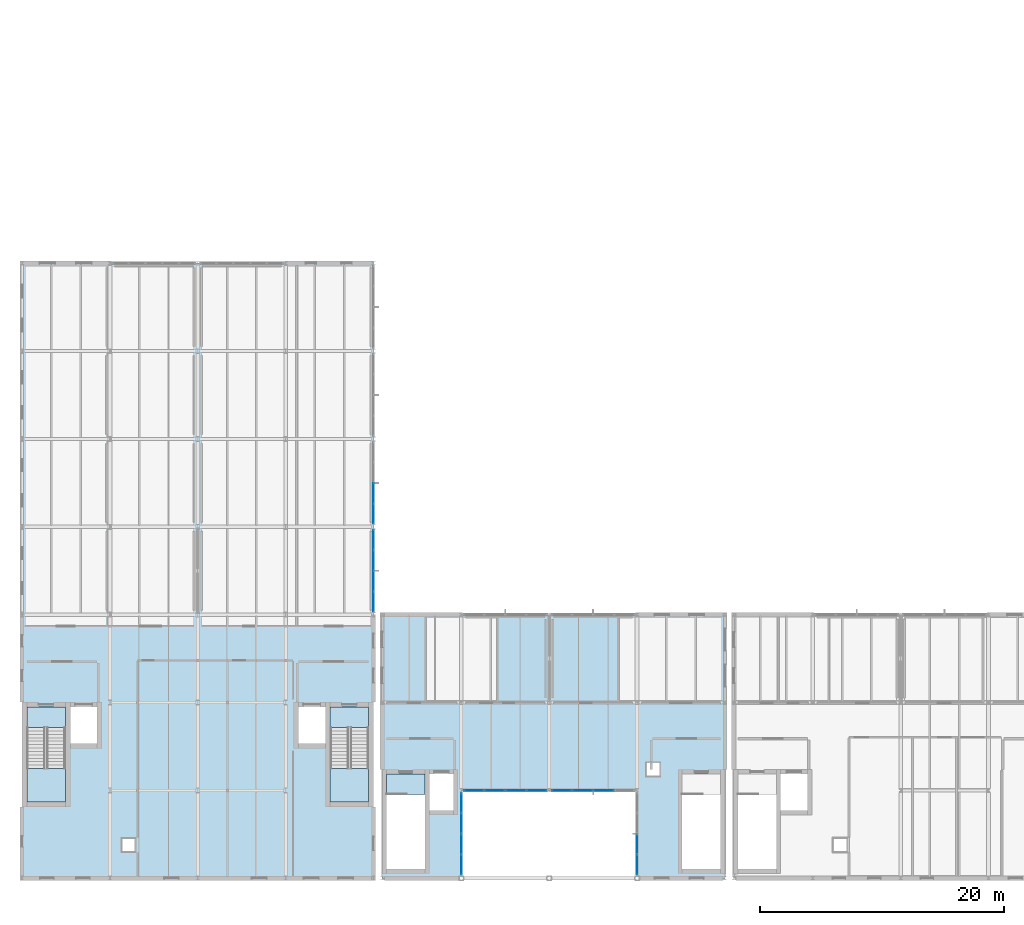
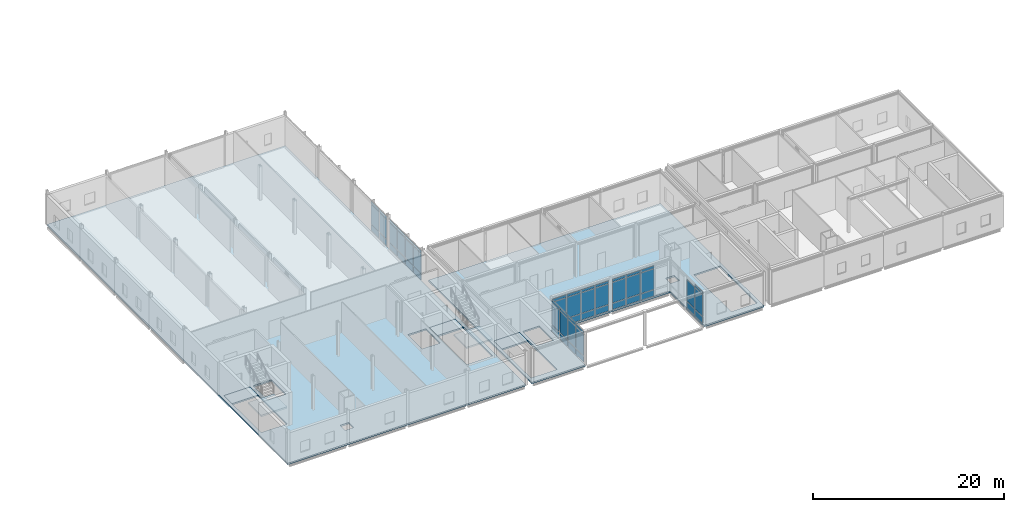
# One storey, part 21 of 43: 56 plates, 7 slabs, 8 elements without a shape of their own.
"""IFC4 building model written with IfcOpenShell, lengths in metres."""

from ifc_helpers import new_model, si_unit, direction, frame, origin, origin_2d, place, context, subcontext, project, spatial, polyline, rectangle, outline, extrude, material, layer, layer_set, type_object, element, aggregate, save


model = new_model("IFC4")

# Units and contexts
model_context = context("Model", 3, precision=1e-05, world=origin(), true_north=direction((0.0, 1.0)))
body_context = subcontext(model_context, "Body", "Model", "MODEL_VIEW")
ifc_project = project(units=[si_unit("LENGTHUNIT", "METRE"), si_unit("AREAUNIT", "SQUARE_METRE"), si_unit("VOLUMEUNIT", "CUBIC_METRE"), si_unit("PLANEANGLEUNIT", "RADIAN"), si_unit("MASSUNIT", "GRAM", prefix="KILO")], contexts=[model_context])

# Site, building, storey
site_placement = place(None, origin())
site = spatial("IfcSite", under=ifc_project, at=site_placement, CompositionType="ELEMENT")
building_placement = place(site_placement, origin())
building = spatial("IfcBuilding", under=site, at=building_placement, Name="Zarrinpeak Specialist Clinic", CompositionType="ELEMENT")
storey_placement = place(building_placement, frame((0.0, 0.0, 18.39990234375)))
storey = spatial("IfcBuildingStorey", under=building, at=storey_placement, Name="L04", CompositionType="ELEMENT", Elevation=18.39990234375)

# Curtain wall, plates
ifc_material_1 = material(Name="Anodised Aluminium Alloy 6063-T6", Category="aluminium")
ifc_layer_1 = layer(ifc_material_1, 0.179931640625)
ifc_layer_set_1 = layer_set([ifc_layer_1], Name="Anodised Aluminium Alloy 6063-T6")
curtain_wall_type_1 = type_object("IfcCurtainWallType", Name="CW-COURT", PredefinedType="NOTDEFINED", material=ifc_layer_set_1)
curtain_wall_1_placement = place(storey_placement, origin())
curtain_wall_1 = element("IfcCurtainWall", 1, at=curtain_wall_1_placement, inside=storey, type_object=curtain_wall_type_1, Name="L04 V1 Unitised Curtain Wall CW-L04-V1-028", PredefinedType="NOTDEFINED")
ifc_material_2 = material(Name="Double Low-E Insulated Glazing", Category="glass")
ifc_layer_2 = layer(ifc_material_2, 0.028076171875)
ifc_layer_set_2 = layer_set([ifc_layer_2], Name="Double Low-E Insulated Glazing")
plate_type_1 = type_object("IfcPlateType", Name="CWP-GLZ28", PredefinedType="CURTAIN_PANEL", material=ifc_layer_set_2)
plate_1_placement = place(storey_placement, frame((28.800048828125, 29.87255859375, 0.074951171875), z_axis=(0.0, 0.0, 1.0), x_axis=(0.0, 1.0, 0.0)))
plate_1 = element("IfcPlate", 2, at=plate_1_placement, type_object=plate_type_1, Name="CW-01 panel 1.1", PredefinedType="CURTAIN_PANEL", context=body_context, shape_type="SweptSolid", body=[
    extrude(rectangle(XDim=1.5849609375, YDim=0.028076171875, at=origin_2d()), origin(), (0.0, 0.0, 1.0), 0.78759765625),
])
plate_2_placement = place(storey_placement, frame((28.800048828125, 29.87255859375, 0.9375), z_axis=(0.0, 0.0, 1.0), x_axis=(0.0, 1.0, 0.0)))
plate_2 = element("IfcPlate", 3, at=plate_2_placement, type_object=plate_type_1, Name="CW-01 panel 1.2", PredefinedType="CURTAIN_PANEL", context=body_context, shape_type="SweptSolid", body=[
    extrude(rectangle(XDim=1.5849609375, YDim=0.028076171875, at=origin_2d()), origin(), (0.0, 0.0, 1.0), 2.47509765625),
])
plate_3_placement = place(storey_placement, frame((28.800048828125, 29.87255859375, 3.487548828125), z_axis=(0.0, 0.0, 1.0), x_axis=(0.0, 1.0, 0.0)))
plate_3 = element("IfcPlate", 4, at=plate_3_placement, type_object=plate_type_1, Name="CW-01 panel 1.3", PredefinedType="CURTAIN_PANEL", context=body_context, shape_type="SweptSolid", body=[
    extrude(rectangle(XDim=1.5849609375, YDim=0.028076171875, at=origin_2d()), origin(), (0.0, 0.0, 1.0), 0.33740234375),
])
plate_4_placement = place(storey_placement, frame((28.800048828125, 31.55126953125, 0.074951171875), z_axis=(0.0, 0.0, 1.0), x_axis=(0.0, 1.0, 0.0)))
plate_4 = element("IfcPlate", 5, at=plate_4_placement, type_object=plate_type_1, Name="CW-01 panel 2.1", PredefinedType="CURTAIN_PANEL", context=body_context, shape_type="SweptSolid", body=[
    extrude(rectangle(XDim=1.62255859375, YDim=0.028076171875, at=origin_2d()), origin(), (0.0, 0.0, 1.0), 0.78759765625),
])
plate_5_placement = place(storey_placement, frame((28.800048828125, 31.55126953125, 0.9375), z_axis=(0.0, 0.0, 1.0), x_axis=(0.0, 1.0, 0.0)))
plate_5 = element("IfcPlate", 6, at=plate_5_placement, type_object=plate_type_1, Name="CW-01 panel 2.2", PredefinedType="CURTAIN_PANEL", context=body_context, shape_type="SweptSolid", body=[
    extrude(rectangle(XDim=1.62255859375, YDim=0.028076171875, at=origin_2d()), origin(), (0.0, 0.0, 1.0), 2.47509765625),
])
plate_6_placement = place(storey_placement, frame((28.800048828125, 31.55126953125, 3.487548828125), z_axis=(0.0, 0.0, 1.0), x_axis=(0.0, 1.0, 0.0)))
plate_6 = element("IfcPlate", 7, at=plate_6_placement, type_object=plate_type_1, Name="CW-01 panel 2.3", PredefinedType="CURTAIN_PANEL", context=body_context, shape_type="SweptSolid", body=[
    extrude(rectangle(XDim=1.62255859375, YDim=0.028076171875, at=origin_2d()), origin(), (0.0, 0.0, 1.0), 0.33740234375),
])
aggregate(curtain_wall_1, [plate_1, plate_2, plate_3, plate_4, plate_5, plate_6])

ifc_layer_3 = layer(ifc_material_1, 0.18994140625)
ifc_layer_set_3 = layer_set([ifc_layer_3], Name="Anodised Aluminium Alloy 6063-T6")
curtain_wall_type_2 = type_object("IfcCurtainWallType", Name="CW-LOGGIA", PredefinedType="NOTDEFINED", material=ifc_layer_set_3)
curtain_wall_2_placement = place(storey_placement, origin())
curtain_wall_2 = element("IfcCurtainWall", 8, at=curtain_wall_2_placement, inside=storey, type_object=curtain_wall_type_2, Name="L04 V2 Unitised Curtain Wall CW-L04-V2-064", PredefinedType="NOTDEFINED")
plate_7_placement = place(storey_placement, frame((44.231201171875, 7.199951171875, 0.09033203125), z_axis=(0.0, 0.0, 1.0), x_axis=(1.0, 0.0, 0.0)))
plate_7 = element("IfcPlate", 9, at=plate_7_placement, type_object=plate_type_1, Name="CW-04 panel 1.1", PredefinedType="CURTAIN_PANEL", context=body_context, shape_type="SweptSolid", body=[
    extrude(rectangle(XDim=1.592529296875, YDim=0.028076171875, at=origin_2d()), origin(), (0.0, 0.0, 1.0), 0.764892578125),
])
plate_8_placement = place(storey_placement, frame((44.231201171875, 7.199951171875, 0.9453125), z_axis=(0.0, 0.0, 1.0), x_axis=(1.0, 0.0, 0.0)))
plate_8 = element("IfcPlate", 10, at=plate_8_placement, type_object=plate_type_1, Name="CW-04 panel 1.2", PredefinedType="CURTAIN_PANEL", context=body_context, shape_type="SweptSolid", body=[
    extrude(rectangle(XDim=1.592529296875, YDim=0.028076171875, at=origin_2d()), origin(), (0.0, 0.0, 1.0), 2.594970703125),
])
plate_9_placement = place(storey_placement, frame((44.231201171875, 7.199951171875, 3.630126953125), z_axis=(0.0, 0.0, 1.0), x_axis=(1.0, 0.0, 0.0)))
plate_9 = element("IfcPlate", 11, at=plate_9_placement, type_object=plate_type_1, Name="CW-04 panel 1.3", PredefinedType="CURTAIN_PANEL", context=body_context, shape_type="SweptSolid", body=[
    extrude(rectangle(XDim=1.592529296875, YDim=0.028076171875, at=origin_2d()), origin(), (0.0, 0.0, 1.0), 0.31494140625),
])
plate_10_placement = place(storey_placement, frame((45.936279296875, 7.199951171875, 0.09033203125), z_axis=(0.0, 0.0, 1.0), x_axis=(1.0, 0.0, 0.0)))
plate_10 = element("IfcPlate", 12, at=plate_10_placement, type_object=plate_type_1, Name="CW-04 panel 2.1", PredefinedType="CURTAIN_PANEL", context=body_context, shape_type="SweptSolid", body=[
    extrude(rectangle(XDim=1.637451171875, YDim=0.028076171875, at=origin_2d()), origin(), (0.0, 0.0, 1.0), 0.764892578125),
])
plate_11_placement = place(storey_placement, frame((45.936279296875, 7.199951171875, 0.9453125), z_axis=(0.0, 0.0, 1.0), x_axis=(1.0, 0.0, 0.0)))
plate_11 = element("IfcPlate", 13, at=plate_11_placement, type_object=plate_type_1, Name="CW-04 panel 2.2", PredefinedType="CURTAIN_PANEL", context=body_context, shape_type="SweptSolid", body=[
    extrude(rectangle(XDim=1.637451171875, YDim=0.028076171875, at=origin_2d()), origin(), (0.0, 0.0, 1.0), 2.594970703125),
])
plate_12_placement = place(storey_placement, frame((45.936279296875, 7.199951171875, 3.630126953125), z_axis=(0.0, 0.0, 1.0), x_axis=(1.0, 0.0, 0.0)))
plate_12 = element("IfcPlate", 14, at=plate_12_placement, type_object=plate_type_1, Name="CW-04 panel 2.3", PredefinedType="CURTAIN_PANEL", context=body_context, shape_type="SweptSolid", body=[
    extrude(rectangle(XDim=1.637451171875, YDim=0.028076171875, at=origin_2d()), origin(), (0.0, 0.0, 1.0), 0.31494140625),
])
plate_13_placement = place(storey_placement, frame((47.663818359375, 7.199951171875, 0.09033203125), z_axis=(0.0, 0.0, 1.0), x_axis=(1.0, 0.0, 0.0)))
plate_13 = element("IfcPlate", 15, at=plate_13_placement, type_object=plate_type_1, Name="CW-04 panel 3.1", PredefinedType="CURTAIN_PANEL", context=body_context, shape_type="SweptSolid", body=[
    extrude(rectangle(XDim=1.637451171875, YDim=0.028076171875, at=origin_2d()), origin(), (0.0, 0.0, 1.0), 0.764892578125),
])
plate_14_placement = place(storey_placement, frame((47.663818359375, 7.199951171875, 0.9453125), z_axis=(0.0, 0.0, 1.0), x_axis=(1.0, 0.0, 0.0)))
plate_14 = element("IfcPlate", 16, at=plate_14_placement, type_object=plate_type_1, Name="CW-04 panel 3.2", PredefinedType="CURTAIN_PANEL", context=body_context, shape_type="SweptSolid", body=[
    extrude(rectangle(XDim=1.637451171875, YDim=0.028076171875, at=origin_2d()), origin(), (0.0, 0.0, 1.0), 2.594970703125),
])
plate_15_placement = place(storey_placement, frame((47.663818359375, 7.199951171875, 3.630126953125), z_axis=(0.0, 0.0, 1.0), x_axis=(1.0, 0.0, 0.0)))
plate_15 = element("IfcPlate", 17, at=plate_15_placement, type_object=plate_type_1, Name="CW-04 panel 3.3", PredefinedType="CURTAIN_PANEL", context=body_context, shape_type="SweptSolid", body=[
    extrude(rectangle(XDim=1.637451171875, YDim=0.028076171875, at=origin_2d()), origin(), (0.0, 0.0, 1.0), 0.31494140625),
])
aggregate(curtain_wall_2, [plate_7, plate_8, plate_9, plate_10, plate_11, plate_12, plate_13, plate_14, plate_15])

curtain_wall_3_placement = place(storey_placement, origin())
curtain_wall_3 = element("IfcCurtainWall", 18, at=curtain_wall_3_placement, inside=storey, type_object=curtain_wall_type_2, Name="L04 V2 Unitised Curtain Wall CW-L04-V2-065", PredefinedType="NOTDEFINED")
plate_16_placement = place(storey_placement, frame((36.0, 1.10400390625, 0.09033203125), z_axis=(0.0, 0.0, 1.0), x_axis=(0.0, 1.0, 0.0)))
plate_16 = element("IfcPlate", 19, at=plate_16_placement, type_object=plate_type_1, Name="CW-04 panel 1.1", PredefinedType="CURTAIN_PANEL", context=body_context, shape_type="SweptSolid", body=[
    extrude(rectangle(XDim=1.57177734375, YDim=0.028076171875, at=origin_2d()), origin(), (0.0, 0.0, 1.0), 0.764892578125),
])
plate_17_placement = place(storey_placement, frame((36.0, 1.10400390625, 0.9453125), z_axis=(0.0, 0.0, 1.0), x_axis=(0.0, 1.0, 0.0)))
plate_17 = element("IfcPlate", 20, at=plate_17_placement, type_object=plate_type_1, Name="CW-04 panel 1.2", PredefinedType="CURTAIN_PANEL", context=body_context, shape_type="SweptSolid", body=[
    extrude(rectangle(XDim=1.57177734375, YDim=0.028076171875, at=origin_2d()), origin(), (0.0, 0.0, 1.0), 2.739990234375),
])
plate_18_placement = place(storey_placement, frame((36.0, 1.10400390625, 3.775146484375), z_axis=(0.0, 0.0, 1.0), x_axis=(0.0, 1.0, 0.0)))
plate_18 = element("IfcPlate", 21, at=plate_18_placement, type_object=plate_type_1, Name="CW-04 panel 1.3", PredefinedType="CURTAIN_PANEL", context=body_context, shape_type="SweptSolid", body=[
    extrude(rectangle(XDim=1.57177734375, YDim=0.028076171875, at=origin_2d()), origin(), (0.0, 0.0, 1.0), 0.31494140625),
])
plate_19_placement = place(storey_placement, frame((36.0, 2.788330078125, 0.09033203125), z_axis=(0.0, 0.0, 1.0), x_axis=(0.0, 1.0, 0.0)))
plate_19 = element("IfcPlate", 22, at=plate_19_placement, type_object=plate_type_1, Name="CW-04 panel 2.1", PredefinedType="CURTAIN_PANEL", context=body_context, shape_type="SweptSolid", body=[
    extrude(rectangle(XDim=1.61669921875, YDim=0.028076171875, at=origin_2d()), origin(), (0.0, 0.0, 1.0), 0.764892578125),
])
plate_20_placement = place(storey_placement, frame((36.0, 2.788330078125, 0.9453125), z_axis=(0.0, 0.0, 1.0), x_axis=(0.0, 1.0, 0.0)))
plate_20 = element("IfcPlate", 23, at=plate_20_placement, type_object=plate_type_1, Name="CW-04 panel 2.2", PredefinedType="CURTAIN_PANEL", context=body_context, shape_type="SweptSolid", body=[
    extrude(rectangle(XDim=1.61669921875, YDim=0.028076171875, at=origin_2d()), origin(), (0.0, 0.0, 1.0), 2.739990234375),
])
plate_21_placement = place(storey_placement, frame((36.0, 2.788330078125, 3.775146484375), z_axis=(0.0, 0.0, 1.0), x_axis=(0.0, 1.0, 0.0)))
plate_21 = element("IfcPlate", 24, at=plate_21_placement, type_object=plate_type_1, Name="CW-04 panel 2.3", PredefinedType="CURTAIN_PANEL", context=body_context, shape_type="SweptSolid", body=[
    extrude(rectangle(XDim=1.61669921875, YDim=0.028076171875, at=origin_2d()), origin(), (0.0, 0.0, 1.0), 0.31494140625),
])
plate_22_placement = place(storey_placement, frame((36.0, 4.494873046875, 0.09033203125), z_axis=(0.0, 0.0, 1.0), x_axis=(0.0, 1.0, 0.0)))
plate_22 = element("IfcPlate", 25, at=plate_22_placement, type_object=plate_type_1, Name="CW-04 panel 3.1", PredefinedType="CURTAIN_PANEL", context=body_context, shape_type="SweptSolid", body=[
    extrude(rectangle(XDim=1.61669921875, YDim=0.028076171875, at=origin_2d()), origin(), (0.0, 0.0, 1.0), 0.764892578125),
])
plate_23_placement = place(storey_placement, frame((36.0, 4.494873046875, 0.9453125), z_axis=(0.0, 0.0, 1.0), x_axis=(0.0, 1.0, 0.0)))
plate_23 = element("IfcPlate", 26, at=plate_23_placement, type_object=plate_type_1, Name="CW-04 panel 3.2", PredefinedType="CURTAIN_PANEL", context=body_context, shape_type="SweptSolid", body=[
    extrude(rectangle(XDim=1.61669921875, YDim=0.028076171875, at=origin_2d()), origin(), (0.0, 0.0, 1.0), 2.739990234375),
])
plate_24_placement = place(storey_placement, frame((36.0, 4.494873046875, 3.775146484375), z_axis=(0.0, 0.0, 1.0), x_axis=(0.0, 1.0, 0.0)))
plate_24 = element("IfcPlate", 27, at=plate_24_placement, type_object=plate_type_1, Name="CW-04 panel 3.3", PredefinedType="CURTAIN_PANEL", context=body_context, shape_type="SweptSolid", body=[
    extrude(rectangle(XDim=1.61669921875, YDim=0.028076171875, at=origin_2d()), origin(), (0.0, 0.0, 1.0), 0.31494140625),
])
plate_25_placement = place(storey_placement, frame((36.0, 6.17919921875, 0.09033203125), z_axis=(0.0, 0.0, 1.0), x_axis=(0.0, 1.0, 0.0)))
plate_25 = element("IfcPlate", 28, at=plate_25_placement, type_object=plate_type_1, Name="CW-04 panel 4.1", PredefinedType="CURTAIN_PANEL", context=body_context, shape_type="SweptSolid", body=[
    extrude(rectangle(XDim=1.57177734375, YDim=0.028076171875, at=origin_2d()), origin(), (0.0, 0.0, 1.0), 0.764892578125),
])
plate_26_placement = place(storey_placement, frame((36.0, 6.17919921875, 0.9453125), z_axis=(0.0, 0.0, 1.0), x_axis=(0.0, 1.0, 0.0)))
plate_26 = element("IfcPlate", 29, at=plate_26_placement, type_object=plate_type_1, Name="CW-04 panel 4.2", PredefinedType="CURTAIN_PANEL", context=body_context, shape_type="SweptSolid", body=[
    extrude(rectangle(XDim=1.57177734375, YDim=0.028076171875, at=origin_2d()), origin(), (0.0, 0.0, 1.0), 2.739990234375),
])
plate_27_placement = place(storey_placement, frame((36.0, 6.17919921875, 3.775146484375), z_axis=(0.0, 0.0, 1.0), x_axis=(0.0, 1.0, 0.0)))
plate_27 = element("IfcPlate", 30, at=plate_27_placement, type_object=plate_type_1, Name="CW-04 panel 4.3", PredefinedType="CURTAIN_PANEL", context=body_context, shape_type="SweptSolid", body=[
    extrude(rectangle(XDim=1.57177734375, YDim=0.028076171875, at=origin_2d()), origin(), (0.0, 0.0, 1.0), 0.31494140625),
])
aggregate(curtain_wall_3, [plate_16, plate_17, plate_18, plate_19, plate_20, plate_21, plate_22, plate_23, plate_24, plate_25, plate_26, plate_27])

curtain_wall_4_placement = place(storey_placement, origin())
curtain_wall_4 = element("IfcCurtainWall", 31, at=curtain_wall_4_placement, inside=storey, type_object=curtain_wall_type_2, Name="L04 V2 Unitised Curtain Wall CW-L04-V2-066", PredefinedType="NOTDEFINED")
plate_28_placement = place(storey_placement, frame((50.39990234375, 2.788330078125, 0.09033203125), z_axis=(0.0, 0.0, 1.0), x_axis=(0.0, -1.0, 0.0)))
plate_28 = element("IfcPlate", 32, at=plate_28_placement, type_object=plate_type_1, Name="CW-04 panel 3.1", PredefinedType="CURTAIN_PANEL", context=body_context, shape_type="SweptSolid", body=[
    extrude(rectangle(XDim=1.61669921875, YDim=0.028076171875, at=origin_2d()), origin(), (0.0, 0.0, 1.0), 0.764892578125),
])
plate_29_placement = place(storey_placement, frame((50.39990234375, 2.788330078125, 0.9453125), z_axis=(0.0, 0.0, 1.0), x_axis=(0.0, -1.0, 0.0)))
plate_29 = element("IfcPlate", 33, at=plate_29_placement, type_object=plate_type_1, Name="CW-04 panel 3.2", PredefinedType="CURTAIN_PANEL", context=body_context, shape_type="SweptSolid", body=[
    extrude(rectangle(XDim=1.61669921875, YDim=0.028076171875, at=origin_2d()), origin(), (0.0, 0.0, 1.0), 2.739990234375),
])
plate_30_placement = place(storey_placement, frame((50.39990234375, 1.10400390625, 0.09033203125), z_axis=(0.0, 0.0, 1.0), x_axis=(0.0, -1.0, 0.0)))
plate_30 = element("IfcPlate", 34, at=plate_30_placement, type_object=plate_type_1, Name="CW-04 panel 4.1", PredefinedType="CURTAIN_PANEL", context=body_context, shape_type="SweptSolid", body=[
    extrude(rectangle(XDim=1.57177734375, YDim=0.028076171875, at=origin_2d()), origin(), (0.0, 0.0, 1.0), 0.764892578125),
])
plate_31_placement = place(storey_placement, frame((50.39990234375, 1.10400390625, 0.9453125), z_axis=(0.0, 0.0, 1.0), x_axis=(0.0, -1.0, 0.0)))
plate_31 = element("IfcPlate", 35, at=plate_31_placement, type_object=plate_type_1, Name="CW-04 panel 4.2", PredefinedType="CURTAIN_PANEL", context=body_context, shape_type="SweptSolid", body=[
    extrude(rectangle(XDim=1.57177734375, YDim=0.028076171875, at=origin_2d()), origin(), (0.0, 0.0, 1.0), 2.739990234375),
])
plate_32_placement = place(storey_placement, frame((50.39990234375, 1.10400390625, 3.775146484375), z_axis=(0.0, 0.0, 1.0), x_axis=(0.0, -1.0, 0.0)))
plate_32 = element("IfcPlate", 36, at=plate_32_placement, type_object=plate_type_1, Name="CW-04 panel 4.3", PredefinedType="CURTAIN_PANEL", context=body_context, shape_type="SweptSolid", body=[
    extrude(rectangle(XDim=1.57177734375, YDim=0.028076171875, at=origin_2d()), origin(), (0.0, 0.0, 1.0), 0.31494140625),
])
aggregate(curtain_wall_4, [plate_28, plate_29, plate_30, plate_31, plate_32])

curtain_wall_5_placement = place(storey_placement, origin())
curtain_wall_5 = element("IfcCurtainWall", 37, at=curtain_wall_5_placement, inside=storey, type_object=curtain_wall_type_1, Name="L04 V1 Unitised Curtain Wall CW-L04-V1-027", PredefinedType="NOTDEFINED")
ifc_material_3 = material(Name="Insulated Aluminium Spandrel Panel", Category="aluminium")
ifc_layer_4 = layer(ifc_material_3, 0.044921875)
ifc_layer_set_4 = layer_set([ifc_layer_4], Name="Insulated Aluminium Spandrel Panel")
plate_type_2 = type_object("IfcPlateType", Name="CWP-SPN45", PredefinedType="CURTAIN_PANEL", material=ifc_layer_set_4)
plate_33_placement = place(storey_placement, frame((28.800048828125, 22.672607421875, 0.074951171875), z_axis=(0.0, 0.0, 1.0), x_axis=(0.0, 1.0, 0.0)))
plate_33 = element("IfcPlate", 38, at=plate_33_placement, type_object=plate_type_2, Name="CW-01 panel 1.1", PredefinedType="CURTAIN_PANEL", context=body_context, shape_type="SweptSolid", body=[
    extrude(rectangle(XDim=1.5849609375, YDim=0.044921875, at=origin_2d()), origin(), (0.0, 0.0, 1.0), 0.78759765625),
])
plate_34_placement = place(storey_placement, frame((28.800048828125, 22.672607421875, 0.9375), z_axis=(0.0, 0.0, 1.0), x_axis=(0.0, 1.0, 0.0)))
plate_34 = element("IfcPlate", 39, at=plate_34_placement, type_object=plate_type_2, Name="CW-01 panel 1.2", PredefinedType="CURTAIN_PANEL", context=body_context, shape_type="SweptSolid", body=[
    extrude(rectangle(XDim=1.5849609375, YDim=0.044921875, at=origin_2d()), origin(), (0.0, 0.0, 1.0), 2.47509765625),
])
plate_35_placement = place(storey_placement, frame((28.800048828125, 22.672607421875, 3.487548828125), z_axis=(0.0, 0.0, 1.0), x_axis=(0.0, 1.0, 0.0)))
plate_35 = element("IfcPlate", 40, at=plate_35_placement, type_object=plate_type_2, Name="CW-01 panel 1.3", PredefinedType="CURTAIN_PANEL", context=body_context, shape_type="SweptSolid", body=[
    extrude(rectangle(XDim=1.5849609375, YDim=0.044921875, at=origin_2d()), origin(), (0.0, 0.0, 1.0), 0.33740234375),
])
plate_36_placement = place(storey_placement, frame((28.800048828125, 24.351318359375, 0.074951171875), z_axis=(0.0, 0.0, 1.0), x_axis=(0.0, 1.0, 0.0)))
plate_36 = element("IfcPlate", 41, at=plate_36_placement, type_object=plate_type_2, Name="CW-01 panel 2.1", PredefinedType="CURTAIN_PANEL", context=body_context, shape_type="SweptSolid", body=[
    extrude(rectangle(XDim=1.62255859375, YDim=0.044921875, at=origin_2d()), origin(), (0.0, 0.0, 1.0), 0.78759765625),
])
plate_37_placement = place(storey_placement, frame((28.800048828125, 24.351318359375, 0.9375), z_axis=(0.0, 0.0, 1.0), x_axis=(0.0, 1.0, 0.0)))
plate_37 = element("IfcPlate", 42, at=plate_37_placement, type_object=plate_type_2, Name="CW-01 panel 2.2", PredefinedType="CURTAIN_PANEL", context=body_context, shape_type="SweptSolid", body=[
    extrude(rectangle(XDim=1.62255859375, YDim=0.044921875, at=origin_2d()), origin(), (0.0, 0.0, 1.0), 2.47509765625),
])
plate_38_placement = place(storey_placement, frame((28.800048828125, 24.351318359375, 3.487548828125), z_axis=(0.0, 0.0, 1.0), x_axis=(0.0, 1.0, 0.0)))
plate_38 = element("IfcPlate", 43, at=plate_38_placement, type_object=plate_type_2, Name="CW-01 panel 2.3", PredefinedType="CURTAIN_PANEL", context=body_context, shape_type="SweptSolid", body=[
    extrude(rectangle(XDim=1.62255859375, YDim=0.044921875, at=origin_2d()), origin(), (0.0, 0.0, 1.0), 0.33740234375),
])
plate_39_placement = place(storey_placement, frame((28.800048828125, 26.048828125, 0.074951171875), z_axis=(0.0, 0.0, 1.0), x_axis=(0.0, 1.0, 0.0)))
plate_39 = element("IfcPlate", 44, at=plate_39_placement, type_object=plate_type_2, Name="CW-01 panel 3.1", PredefinedType="CURTAIN_PANEL", context=body_context, shape_type="SweptSolid", body=[
    extrude(rectangle(XDim=1.62255859375, YDim=0.044921875, at=origin_2d()), origin(), (0.0, 0.0, 1.0), 0.78759765625),
])
plate_40_placement = place(storey_placement, frame((28.800048828125, 26.048828125, 0.9375), z_axis=(0.0, 0.0, 1.0), x_axis=(0.0, 1.0, 0.0)))
plate_40 = element("IfcPlate", 45, at=plate_40_placement, type_object=plate_type_2, Name="CW-01 panel 3.2", PredefinedType="CURTAIN_PANEL", context=body_context, shape_type="SweptSolid", body=[
    extrude(rectangle(XDim=1.62255859375, YDim=0.044921875, at=origin_2d()), origin(), (0.0, 0.0, 1.0), 2.47509765625),
])
plate_41_placement = place(storey_placement, frame((28.800048828125, 26.048828125, 3.487548828125), z_axis=(0.0, 0.0, 1.0), x_axis=(0.0, 1.0, 0.0)))
plate_41 = element("IfcPlate", 46, at=plate_41_placement, type_object=plate_type_2, Name="CW-01 panel 3.3", PredefinedType="CURTAIN_PANEL", context=body_context, shape_type="SweptSolid", body=[
    extrude(rectangle(XDim=1.62255859375, YDim=0.044921875, at=origin_2d()), origin(), (0.0, 0.0, 1.0), 0.33740234375),
])
plate_42_placement = place(storey_placement, frame((28.800048828125, 27.7275390625, 0.074951171875), z_axis=(0.0, 0.0, 1.0), x_axis=(0.0, 1.0, 0.0)))
plate_42 = element("IfcPlate", 47, at=plate_42_placement, type_object=plate_type_2, Name="CW-01 panel 4.1", PredefinedType="CURTAIN_PANEL", context=body_context, shape_type="SweptSolid", body=[
    extrude(rectangle(XDim=1.5849609375, YDim=0.044921875, at=origin_2d()), origin(), (0.0, 0.0, 1.0), 0.78759765625),
])
plate_43_placement = place(storey_placement, frame((28.800048828125, 27.7275390625, 0.9375), z_axis=(0.0, 0.0, 1.0), x_axis=(0.0, 1.0, 0.0)))
plate_43 = element("IfcPlate", 48, at=plate_43_placement, type_object=plate_type_2, Name="CW-01 panel 4.2", PredefinedType="CURTAIN_PANEL", context=body_context, shape_type="SweptSolid", body=[
    extrude(rectangle(XDim=1.5849609375, YDim=0.044921875, at=origin_2d()), origin(), (0.0, 0.0, 1.0), 2.47509765625),
])
plate_44_placement = place(storey_placement, frame((28.800048828125, 27.7275390625, 3.487548828125), z_axis=(0.0, 0.0, 1.0), x_axis=(0.0, 1.0, 0.0)))
plate_44 = element("IfcPlate", 49, at=plate_44_placement, type_object=plate_type_2, Name="CW-01 panel 4.3", PredefinedType="CURTAIN_PANEL", context=body_context, shape_type="SweptSolid", body=[
    extrude(rectangle(XDim=1.5849609375, YDim=0.044921875, at=origin_2d()), origin(), (0.0, 0.0, 1.0), 0.33740234375),
])
aggregate(curtain_wall_5, [plate_33, plate_34, plate_35, plate_36, plate_37, plate_38, plate_39, plate_40, plate_41, plate_42, plate_43, plate_44])

curtain_wall_6_placement = place(storey_placement, origin())
curtain_wall_6 = element("IfcCurtainWall", 50, at=curtain_wall_6_placement, inside=storey, type_object=curtain_wall_type_2, Name="L04 V2 Unitised Curtain Wall CW-L04-V2-063", PredefinedType="NOTDEFINED")
plate_45_placement = place(storey_placement, frame((37.03125, 7.199951171875, 0.09033203125), z_axis=(0.0, 0.0, 1.0), x_axis=(1.0, 0.0, 0.0)))
plate_45 = element("IfcPlate", 51, at=plate_45_placement, type_object=plate_type_2, Name="CW-04 panel 1.1", PredefinedType="CURTAIN_PANEL", context=body_context, shape_type="SweptSolid", body=[
    extrude(rectangle(XDim=1.592529296875, YDim=0.044921875, at=origin_2d()), origin(), (0.0, 0.0, 1.0), 0.764892578125),
])
plate_46_placement = place(storey_placement, frame((37.03125, 7.199951171875, 0.9453125), z_axis=(0.0, 0.0, 1.0), x_axis=(1.0, 0.0, 0.0)))
plate_46 = element("IfcPlate", 52, at=plate_46_placement, type_object=plate_type_2, Name="CW-04 panel 1.2", PredefinedType="CURTAIN_PANEL", context=body_context, shape_type="SweptSolid", body=[
    extrude(rectangle(XDim=1.592529296875, YDim=0.044921875, at=origin_2d()), origin(), (0.0, 0.0, 1.0), 2.594970703125),
])
plate_47_placement = place(storey_placement, frame((37.03125, 7.199951171875, 3.630126953125), z_axis=(0.0, 0.0, 1.0), x_axis=(1.0, 0.0, 0.0)))
plate_47 = element("IfcPlate", 53, at=plate_47_placement, type_object=plate_type_2, Name="CW-04 panel 1.3", PredefinedType="CURTAIN_PANEL", context=body_context, shape_type="SweptSolid", body=[
    extrude(rectangle(XDim=1.592529296875, YDim=0.044921875, at=origin_2d()), origin(), (0.0, 0.0, 1.0), 0.31494140625),
])
plate_48_placement = place(storey_placement, frame((38.736328125, 7.199951171875, 0.09033203125), z_axis=(0.0, 0.0, 1.0), x_axis=(1.0, 0.0, 0.0)))
plate_48 = element("IfcPlate", 54, at=plate_48_placement, type_object=plate_type_2, Name="CW-04 panel 2.1", PredefinedType="CURTAIN_PANEL", context=body_context, shape_type="SweptSolid", body=[
    extrude(rectangle(XDim=1.637451171875, YDim=0.044921875, at=origin_2d()), origin(), (0.0, 0.0, 1.0), 0.764892578125),
])
plate_49_placement = place(storey_placement, frame((38.736328125, 7.199951171875, 0.9453125), z_axis=(0.0, 0.0, 1.0), x_axis=(1.0, 0.0, 0.0)))
plate_49 = element("IfcPlate", 55, at=plate_49_placement, type_object=plate_type_2, Name="CW-04 panel 2.2", PredefinedType="CURTAIN_PANEL", context=body_context, shape_type="SweptSolid", body=[
    extrude(rectangle(XDim=1.637451171875, YDim=0.044921875, at=origin_2d()), origin(), (0.0, 0.0, 1.0), 2.594970703125),
])
plate_50_placement = place(storey_placement, frame((38.736328125, 7.199951171875, 3.630126953125), z_axis=(0.0, 0.0, 1.0), x_axis=(1.0, 0.0, 0.0)))
plate_50 = element("IfcPlate", 56, at=plate_50_placement, type_object=plate_type_2, Name="CW-04 panel 2.3", PredefinedType="CURTAIN_PANEL", context=body_context, shape_type="SweptSolid", body=[
    extrude(rectangle(XDim=1.637451171875, YDim=0.044921875, at=origin_2d()), origin(), (0.0, 0.0, 1.0), 0.31494140625),
])
plate_51_placement = place(storey_placement, frame((40.4638671875, 7.199951171875, 0.09033203125), z_axis=(0.0, 0.0, 1.0), x_axis=(1.0, 0.0, 0.0)))
plate_51 = element("IfcPlate", 57, at=plate_51_placement, type_object=plate_type_2, Name="CW-04 panel 3.1", PredefinedType="CURTAIN_PANEL", context=body_context, shape_type="SweptSolid", body=[
    extrude(rectangle(XDim=1.637451171875, YDim=0.044921875, at=origin_2d()), origin(), (0.0, 0.0, 1.0), 0.764892578125),
])
plate_52_placement = place(storey_placement, frame((40.4638671875, 7.199951171875, 0.9453125), z_axis=(0.0, 0.0, 1.0), x_axis=(1.0, 0.0, 0.0)))
plate_52 = element("IfcPlate", 58, at=plate_52_placement, type_object=plate_type_2, Name="CW-04 panel 3.2", PredefinedType="CURTAIN_PANEL", context=body_context, shape_type="SweptSolid", body=[
    extrude(rectangle(XDim=1.637451171875, YDim=0.044921875, at=origin_2d()), origin(), (0.0, 0.0, 1.0), 2.594970703125),
])
plate_53_placement = place(storey_placement, frame((40.4638671875, 7.199951171875, 3.630126953125), z_axis=(0.0, 0.0, 1.0), x_axis=(1.0, 0.0, 0.0)))
plate_53 = element("IfcPlate", 59, at=plate_53_placement, type_object=plate_type_2, Name="CW-04 panel 3.3", PredefinedType="CURTAIN_PANEL", context=body_context, shape_type="SweptSolid", body=[
    extrude(rectangle(XDim=1.637451171875, YDim=0.044921875, at=origin_2d()), origin(), (0.0, 0.0, 1.0), 0.31494140625),
])
plate_54_placement = place(storey_placement, frame((42.168701171875, 7.199951171875, 0.09033203125), z_axis=(0.0, 0.0, 1.0), x_axis=(1.0, 0.0, 0.0)))
plate_54 = element("IfcPlate", 60, at=plate_54_placement, type_object=plate_type_2, Name="CW-04 panel 4.1", PredefinedType="CURTAIN_PANEL", context=body_context, shape_type="SweptSolid", body=[
    extrude(rectangle(XDim=1.592529296875, YDim=0.044921875, at=origin_2d()), origin(), (0.0, 0.0, 1.0), 0.764892578125),
])
plate_55_placement = place(storey_placement, frame((42.168701171875, 7.199951171875, 0.9453125), z_axis=(0.0, 0.0, 1.0), x_axis=(1.0, 0.0, 0.0)))
plate_55 = element("IfcPlate", 61, at=plate_55_placement, type_object=plate_type_2, Name="CW-04 panel 4.2", PredefinedType="CURTAIN_PANEL", context=body_context, shape_type="SweptSolid", body=[
    extrude(rectangle(XDim=1.592529296875, YDim=0.044921875, at=origin_2d()), origin(), (0.0, 0.0, 1.0), 2.594970703125),
])
plate_56_placement = place(storey_placement, frame((42.168701171875, 7.199951171875, 3.630126953125), z_axis=(0.0, 0.0, 1.0), x_axis=(1.0, 0.0, 0.0)))
plate_56 = element("IfcPlate", 62, at=plate_56_placement, type_object=plate_type_2, Name="CW-04 panel 4.3", PredefinedType="CURTAIN_PANEL", context=body_context, shape_type="SweptSolid", body=[
    extrude(rectangle(XDim=1.592529296875, YDim=0.044921875, at=origin_2d()), origin(), (0.0, 0.0, 1.0), 0.31494140625),
])
aggregate(curtain_wall_6, [plate_45, plate_46, plate_47, plate_48, plate_49, plate_50, plate_51, plate_52, plate_53, plate_54, plate_55, plate_56])

# Slabs
ifc_material_4 = material(Name="Concrete C35/45", Category="concrete")
ifc_layer_5 = layer(ifc_material_4, 0.199951171875)
ifc_layer_set_5 = layer_set([ifc_layer_5], Name="Concrete C35/45")
slab_type_1 = type_object("IfcSlabType", Name="SL-FLR200", PredefinedType="FLOOR", material=ifc_layer_set_5)
slab_1_placement = place(storey_placement, frame((0.0, 0.0, -0.199951171875)))
element("IfcSlab", 63, at=slab_1_placement, inside=storey, type_object=slab_type_1, Name="L04 Suspended Clinical Floor Slab V1", PredefinedType="FLOOR", context=body_context, shape_type="SweptSolid", body=[
    extrude(outline(polyline([(0.0, 0.0), (28.800048828125, 0.0), (28.800048828125, 50.39990234375), (0.0, 50.39990234375), (0.0, 0.0)]), holes=[polyline([(0.39990234375, 6.25), (3.550048828125, 6.25), (3.550048828125, 14.050048828125), (0.39990234375, 14.050048828125), (0.39990234375, 6.25)]), polyline([(3.949951171875, 11.050048828125), (6.14990234375, 11.050048828125), (6.14990234375, 14.050048828125), (3.949951171875, 14.050048828125), (3.949951171875, 11.050048828125)]), polyline([(25.25, 6.25), (28.39990234375, 6.25), (28.39990234375, 14.050048828125), (25.25, 14.050048828125), (25.25, 6.25)]), polyline([(22.64990234375, 11.050048828125), (24.85009765625, 11.050048828125), (24.85009765625, 14.050048828125), (22.64990234375, 14.050048828125), (22.64990234375, 11.050048828125)]), polyline([(8.199951171875, 2.199951171875), (9.25, 2.199951171875), (9.25, 3.25), (8.199951171875, 3.25), (8.199951171875, 2.199951171875)])]), origin(), (0.0, 0.0, 1.0), 0.199951171875),
])
slab_2_placement = place(storey_placement, frame((0.0, 0.0, -0.199951171875)))
element("IfcSlab", 64, at=slab_2_placement, inside=storey, type_object=slab_type_1, Name="L04 Core C01 Stairwell Floor Landing Slab", PredefinedType="FLOOR", context=body_context, shape_type="SweptSolid", body=[
    extrude(outline(polyline([(0.39990234375, 12.35009765625), (3.550048828125, 12.35009765625), (3.550048828125, 14.050048828125), (0.39990234375, 14.050048828125), (0.39990234375, 12.35009765625)])), origin(), (0.0, 0.0, 1.0), 0.199951171875),
])
slab_3_placement = place(storey_placement, frame((0.0, 0.0, -0.199951171875)))
element("IfcSlab", 65, at=slab_3_placement, inside=storey, type_object=slab_type_1, Name="L04 Core C02 Stairwell Floor Landing Slab", PredefinedType="FLOOR", context=body_context, shape_type="SweptSolid", body=[
    extrude(outline(polyline([(25.25, 12.35009765625), (28.39990234375, 12.35009765625), (28.39990234375, 14.050048828125), (25.25, 14.050048828125), (25.25, 12.35009765625)])), origin(), (0.0, 0.0, 1.0), 0.199951171875),
])
slab_4_placement = place(storey_placement, frame((0.0, 0.0, -0.199951171875)))
element("IfcSlab", 66, at=slab_4_placement, inside=storey, type_object=slab_type_1, Name="L04 Suspended Clinical Floor Slab V2", PredefinedType="FLOOR", context=body_context, shape_type="SweptSolid", body=[
    extrude(outline(polyline([(29.52001953125, 0.0), (36.0, 0.0), (36.0, 7.199951171875), (50.39990234375, 7.199951171875), (50.39990234375, 0.0), (57.60009765625, 0.0), (57.60009765625, 21.60009765625), (29.52001953125, 21.60009765625), (29.52001953125, 0.0)]), holes=[polyline([(29.8701171875, 0.75), (33.02001953125, 0.75), (33.02001953125, 8.550048828125), (29.8701171875, 8.550048828125), (29.8701171875, 0.75)]), polyline([(33.3701171875, 5.550048828125), (35.3701171875, 5.550048828125), (35.3701171875, 8.550048828125), (33.3701171875, 8.550048828125), (33.3701171875, 5.550048828125)]), polyline([(54.10009765625, 0.75), (57.25, 0.75), (57.25, 8.550048828125), (54.10009765625, 8.550048828125), (54.10009765625, 0.75)]), polyline([(51.199951171875, 8.39990234375), (52.25, 8.39990234375), (52.25, 9.449951171875), (51.199951171875, 9.449951171875), (51.199951171875, 8.39990234375)])]), origin(), (0.0, 0.0, 1.0), 0.199951171875),
])
slab_5_placement = place(storey_placement, frame((0.0, 0.0, -0.199951171875)))
element("IfcSlab", 67, at=slab_5_placement, inside=storey, type_object=slab_type_1, Name="L04 Core C03 Stairwell Floor Landing Slab", PredefinedType="FLOOR", context=body_context, shape_type="SweptSolid", body=[
    extrude(outline(polyline([(29.8701171875, 6.85009765625), (33.02001953125, 6.85009765625), (33.02001953125, 8.550048828125), (29.8701171875, 8.550048828125), (29.8701171875, 6.85009765625)])), origin(), (0.0, 0.0, 1.0), 0.199951171875),
])

# Stair, slab
stair_type = type_object("IfcStairType", Name="ST-DOG", PredefinedType="HALF_TURN_STAIR", material=ifc_material_4)
stair_1_placement = place(storey_placement, origin())
stair_1 = element("IfcStair", 68, at=stair_1_placement, inside=storey, type_object=stair_type, Name="L04 Protected Exit Stair ST-01", PredefinedType="HALF_TURN_STAIR")
ifc_layer_6 = layer(ifc_material_4, 0.199951171875)
ifc_layer_set_6 = layer_set([ifc_layer_6], Name="Concrete C35/45")
slab_type_2 = type_object("IfcSlabType", Name="SL-LAND200", PredefinedType="LANDING", material=ifc_layer_set_6)
slab_6_placement = place(storey_placement, frame((0.0, 0.0, 2.0)))
slab_6 = element("IfcSlab", 69, at=slab_6_placement, type_object=slab_type_2, Name="ST-01 landing 1", PredefinedType="LANDING", context=body_context, shape_type="SweptSolid", body=[
    extrude(outline(polyline([(0.39990234375, 8.989990234375), (0.39990234375, 6.25), (3.550048828125, 6.25), (3.550048828125, 8.989990234375), (0.39990234375, 8.989990234375)])), origin(), (0.0, 0.0, 1.0), 0.2001953125),
])
aggregate(stair_1, [slab_6])

stair_2_placement = place(storey_placement, origin())
stair_2 = element("IfcStair", 70, at=stair_2_placement, inside=storey, type_object=stair_type, Name="L04 Protected Exit Stair ST-02", PredefinedType="HALF_TURN_STAIR")
slab_7_placement = place(storey_placement, frame((0.0, 0.0, 2.0)))
slab_7 = element("IfcSlab", 71, at=slab_7_placement, type_object=slab_type_2, Name="ST-02 landing 1", PredefinedType="LANDING", context=body_context, shape_type="SweptSolid", body=[
    extrude(outline(polyline([(25.25, 8.989990234375), (25.25, 6.25), (28.39990234375, 6.25), (28.39990234375, 8.989990234375), (25.25, 8.989990234375)])), origin(), (0.0, 0.0, 1.0), 0.2001953125),
])
aggregate(stair_2, [slab_7])

save(model, "model.ifc")
